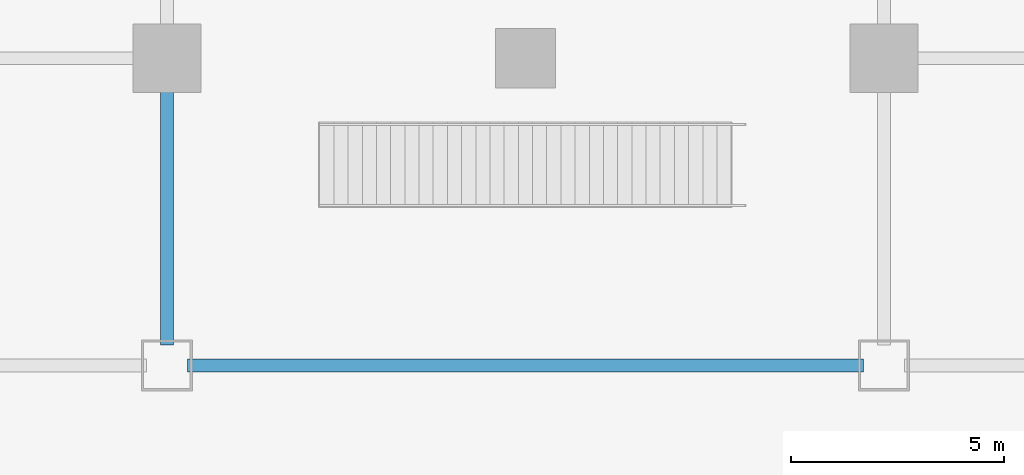
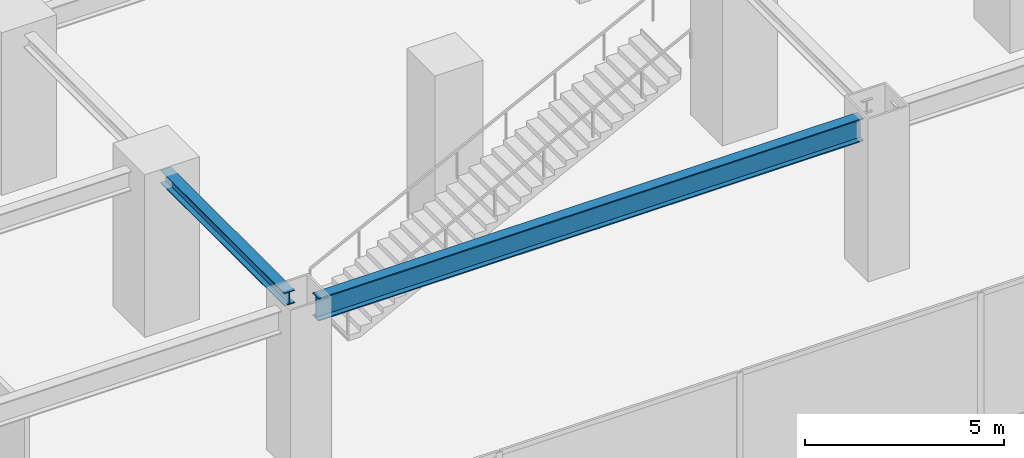
# One storey, part 5 of 18: 2 beams.
"""IFC4 building model written with IfcOpenShell, lengths in metres."""

from ifc_helpers import new_model, si_unit, direction, frame, origin, origin_2d, place, context, subcontext, project, spatial, i_section, extrude, source, transform, mapped, material, material_profile, profile_set, type_object, element, save


model = new_model("IFC4")

# Units and contexts
model_context = context("Model", 3, precision=1e-05, world=origin(), true_north=direction((0.0, 1.0)))
body_context = subcontext(model_context, "Body", "Model", "MODEL_VIEW")
ifc_project = project(units=[si_unit("LENGTHUNIT", "METRE"), si_unit("AREAUNIT", "SQUARE_METRE"), si_unit("VOLUMEUNIT", "CUBIC_METRE"), si_unit("PLANEANGLEUNIT", "RADIAN"), si_unit("MASSUNIT", "GRAM", prefix="KILO")], contexts=[model_context])

# Site, building, storey
site_placement = place(None, origin())
site = spatial("IfcSite", under=ifc_project, at=site_placement, CompositionType="ELEMENT")
building_placement = place(site_placement, origin())
building = spatial("IfcBuilding", under=site, at=building_placement, Name="Sumidabori Civic Tower", CompositionType="ELEMENT")
storey_placement = place(building_placement, origin())
storey = spatial("IfcBuildingStorey", under=building, at=storey_placement, Name="L00", CompositionType="ELEMENT", Elevation=0.0)

# Beams
ifc_material = material(Name="Steel SN490", Category="steel")
ifc_material_profile_1 = material_profile(ifc_material, i_section(OverallWidth=0.300048828125, OverallDepth=0.699951171875, WebThickness=0.01708984375, FlangeThickness=0.031982421875, at=origin_2d()), Name="HE 700 B")
ifc_profile_set_1 = profile_set([ifc_material_profile_1], Name="Steel SN490")
beam_type_1 = type_object("IfcBeamType", Name="BM-GIRD-700", PredefinedType="BEAM", material=ifc_profile_set_1)
shared_shape_1 = source(origin(), body_context, "Body", "SweptSolid", [
    extrude(i_section(OverallWidth=0.300048828125, OverallDepth=0.699951171875, WebThickness=0.01708984375, FlangeThickness=0.031982421875, at=origin_2d()), origin(), (0.0, 0.0, 1.0), 15.83984375),
])
beam_1_placement = place(storey_placement, frame((-7.919921875, -25.199951171875, 4.3701171875), z_axis=(1.0, 0.0, 0.0), x_axis=(0.0, 1.0, 0.0)))
element("IfcBeam", 1, at=beam_1_placement, inside=storey, type_object=beam_type_1, Name="Primary Girder L00 GX-02", PredefinedType="BEAM", context=body_context, shape_type="MappedRepresentation", body=[
    mapped(shared_shape_1, transform((0.0, 0.0, 0.0), x_axis=(1.0, 0.0, 0.0), y_axis=(0.0, 1.0, 0.0), z_axis=(0.0, 0.0, 1.0), scale=1.0)),
])
ifc_material_profile_2 = material_profile(ifc_material, i_section(OverallWidth=0.300048828125, OverallDepth=0.39990234375, WebThickness=0.013427734375, FlangeThickness=0.02392578125, at=origin_2d()), Name="HE 400 B")
ifc_profile_set_2 = profile_set([ifc_material_profile_2], Name="Steel SN490")
beam_type_2 = type_object("IfcBeamType", Name="BM-GIRD-400", PredefinedType="BEAM", material=ifc_profile_set_2)
shared_shape_2 = source(origin(), body_context, "Body", "SweptSolid", [
    extrude(i_section(OverallWidth=0.300048828125, OverallDepth=0.39990234375, WebThickness=0.013427734375, FlangeThickness=0.02392578125, at=origin_2d()), origin(), (0.0, 0.0, 1.0), 6.239990234375),
])
beam_2_placement = place(storey_placement, frame((-8.39990234375, -24.719970703125, 4.52001953125), z_axis=(0.0, 1.0, 0.0), x_axis=(-1.0, 0.0, 0.0)))
element("IfcBeam", 2, at=beam_2_placement, inside=storey, type_object=beam_type_2, Name="Primary Girder L00 GY-32", PredefinedType="BEAM", context=body_context, shape_type="MappedRepresentation", body=[
    mapped(shared_shape_2, transform((0.0, 0.0, 0.0), x_axis=(1.0, 0.0, 0.0), y_axis=(0.0, 1.0, 0.0), z_axis=(0.0, 0.0, 1.0), scale=1.0)),
])

save(model, "model.ifc")
